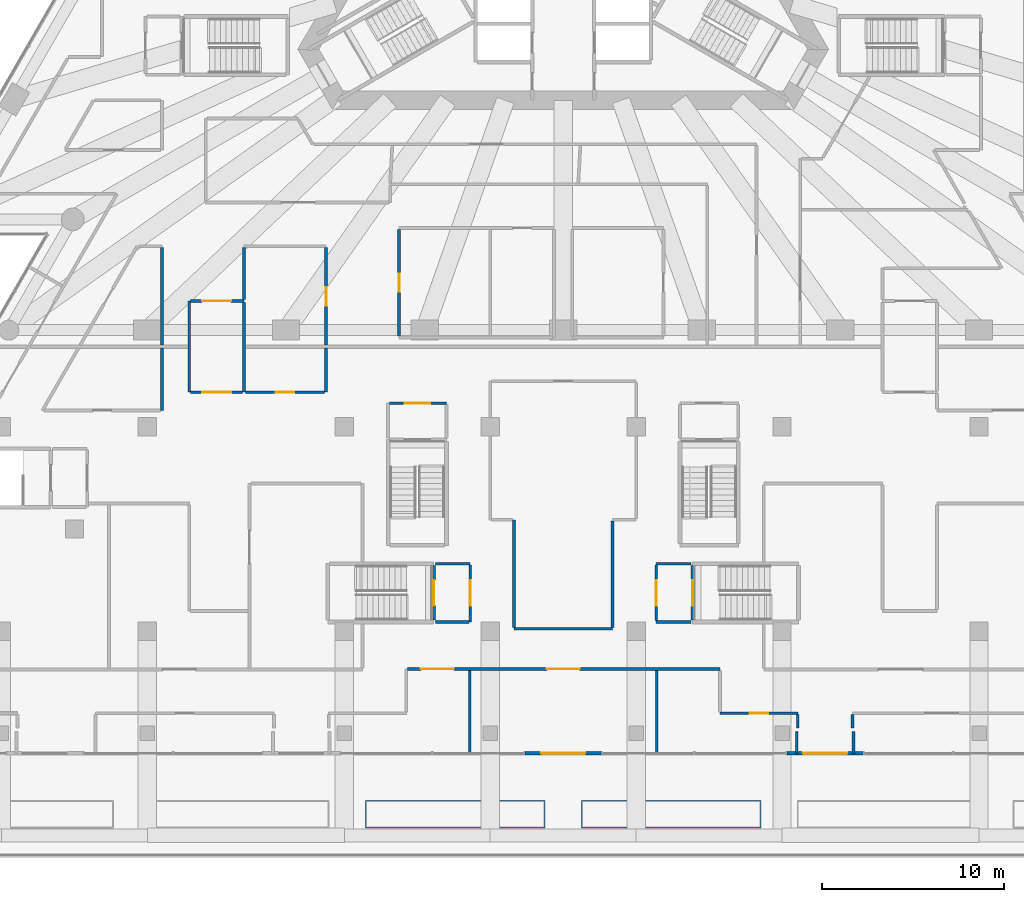
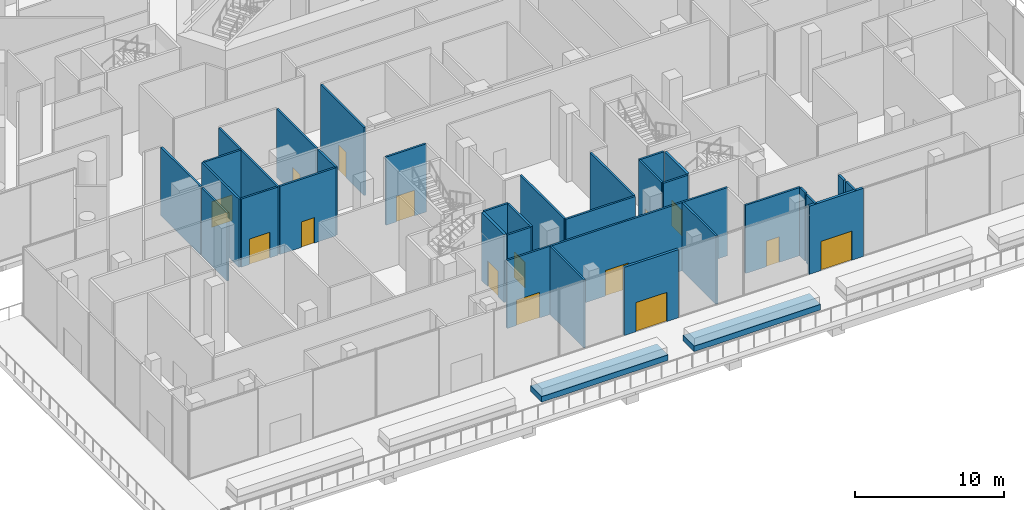
# One storey, part 23 of 36: 35 walls, 15 doors, 15 openings.
"""IFC4 building model written with IfcOpenShell, lengths in metres."""

from ifc_helpers import new_model, si_unit, direction, frame, frame_2d, origin, place, context, subcontext, project, spatial, rectangle, extrude, material, layer, layer_set, layer_usage, type_object, element, fill, save


model = new_model("IFC4")

# Units and contexts
model_context = context("Model", 3, precision=1e-05, world=origin(), true_north=direction((0.0, 1.0)))
body_context = subcontext(model_context, "Body", "Model", "MODEL_VIEW")
ifc_project = project(units=[si_unit("LENGTHUNIT", "METRE"), si_unit("AREAUNIT", "SQUARE_METRE"), si_unit("VOLUMEUNIT", "CUBIC_METRE"), si_unit("PLANEANGLEUNIT", "RADIAN"), si_unit("MASSUNIT", "GRAM", prefix="KILO")], contexts=[model_context])

# Site, building, storey
site_placement = place(None, origin())
site = spatial("IfcSite", under=ifc_project, at=site_placement, CompositionType="ELEMENT")
building_placement = place(site_placement, origin())
building = spatial("IfcBuilding", under=site, at=building_placement, Name="Triada Interchange Tower", CompositionType="ELEMENT")
storey_placement = place(building_placement, frame((0.0, 0.0, 8.5)))
storey = spatial("IfcBuildingStorey", under=building, at=storey_placement, Name="L01", CompositionType="ELEMENT", Elevation=8.5)

# Wall, opening, door
ifc_material_1 = material(Name="Concrete C30/37", Category="concrete")
ifc_layer_1 = layer(ifc_material_1, 0.199951171875)
ifc_layer_set_1 = layer_set([ifc_layer_1], Name="CORE WALL 200 REI 240")
wall_type_1 = type_object("IfcWallType", Name="CORE WALL 200 REI 240", PredefinedType="SOLIDWALL", material=ifc_layer_set_1)
wall_1_placement = place(storey_placement, frame((-7.10009765625, -37.5, 0.0), z_axis=(0.0, 0.0, 1.0), x_axis=(0.0, 1.0, 0.0)))
wall_1 = element("IfcWall", 1, at=wall_1_placement, inside=storey, type_object=wall_type_1, Name="Wall L01 252", PredefinedType="SOLIDWALL", context=body_context, shape_type="SweptSolid", body=[
    extrude(rectangle(XDim=3.0, YDim=0.199951171875, at=frame_2d((1.5, 0.0))), origin(), (0.0, 0.0, 1.0), 5.60009765625),
])
opening_1_placement = place(wall_1_placement, frame((0.800048828125, 0.0, 0.0)))
opening_1 = element("IfcOpeningElement", 2, at=opening_1_placement, cuts=wall_1, Name="Opening D01-15", PredefinedType="OPENING", context=body_context, shape_type="SweptSolid", body=[
    extrude(rectangle(XDim=1.39990234375, YDim=2.10009765625, at=frame_2d((0.699951171875, 1.050048828125))), frame((0.0, 0.10986328125, 0.0), z_axis=(0.0, -1.0, 0.0), x_axis=(1.0, 0.0, 0.0)), (0.0, 0.0, 1.0), 0.219970703125),
])
ifc_material_2 = material(Name="Steel S235 door leaf", Category="steel")
door_type_1 = type_object("IfcDoorType", Name="STAIR DOOR 1400 EI2 90-C5S200", OperationType="DOUBLE_DOOR_SINGLE_SWING", PredefinedType="DOOR", material=ifc_material_2)
door_1_placement = place(opening_1_placement, origin())
door_1 = element("IfcDoor", 3, at=door_1_placement, inside=storey, type_object=door_type_1, Name="Door D01-15 L01", OperationType="DOUBLE_DOOR_SINGLE_SWING", OverallHeight=2.10009765625, OverallWidth=1.39990234375, PredefinedType="DOOR", context=body_context, shape_type="SweptSolid", body=[
    extrude(rectangle(XDim=1.39990234375, YDim=2.10009765625, at=frame_2d((0.699951171875, 1.050048828125))), frame((0.0, 0.02490234375, 0.0), z_axis=(0.0, -1.0, 0.0), x_axis=(1.0, 0.0, 0.0)), (0.0, 0.0, 1.0), 0.050048828125),
])
fill(opening_1, door_1)

wall_2_placement = place(storey_placement, frame((7.10009765625, -37.5, 0.0), z_axis=(0.0, 0.0, 1.0), x_axis=(0.0, 1.0, 0.0)))
wall_2 = element("IfcWall", 4, at=wall_2_placement, inside=storey, type_object=wall_type_1, Name="Wall L01 261", PredefinedType="SOLIDWALL", context=body_context, shape_type="SweptSolid", body=[
    extrude(rectangle(XDim=3.0, YDim=0.199951171875, at=frame_2d((1.5, 0.0))), origin(), (0.0, 0.0, 1.0), 5.60009765625),
])
opening_2_placement = place(wall_2_placement, frame((0.800048828125, 0.0, 0.0)))
opening_2 = element("IfcOpeningElement", 5, at=opening_2_placement, cuts=wall_2, Name="Opening D01-17", PredefinedType="OPENING", context=body_context, shape_type="SweptSolid", body=[
    extrude(rectangle(XDim=1.39990234375, YDim=2.10009765625, at=frame_2d((0.699951171875, 1.050048828125))), frame((0.0, 0.10986328125, 0.0), z_axis=(0.0, -1.0, 0.0), x_axis=(1.0, 0.0, 0.0)), (0.0, 0.0, 1.0), 0.219970703125),
])
door_2_placement = place(opening_2_placement, origin())
door_2 = element("IfcDoor", 6, at=door_2_placement, inside=storey, type_object=door_type_1, Name="Door D01-17 L01", OperationType="DOUBLE_DOOR_SINGLE_SWING", OverallHeight=2.10009765625, OverallWidth=1.39990234375, PredefinedType="DOOR", context=body_context, shape_type="SweptSolid", body=[
    extrude(rectangle(XDim=1.39990234375, YDim=2.10009765625, at=frame_2d((0.699951171875, 1.050048828125))), frame((0.0, 0.02490234375, 0.0), z_axis=(0.0, -1.0, 0.0), x_axis=(1.0, 0.0, 0.0)), (0.0, 0.0, 1.0), 0.050048828125),
])
fill(opening_2, door_2)

ifc_material_3 = material(Name="Cement board")
ifc_layer_2 = layer(ifc_material_3, 0.02001953125, Name="Cement board cladding")
ifc_material_4 = material(Name="Sheathing board")
ifc_layer_3 = layer(ifc_material_4, 0.014892578125, Name="Sheathing board")
ifc_material_5 = material(Name="Mineral wool")
ifc_layer_4 = layer(ifc_material_5, 0.14990234375, Name="Mineral wool between steel studs")
ifc_material_6 = material(Name="Gypsum board")
ifc_layer_5 = layer(ifc_material_6, 0.014892578125, Name="Plasterboard lining")
ifc_layer_set_2 = layer_set([ifc_layer_2, ifc_layer_3, ifc_layer_4, ifc_layer_5], Name="External wall 200")
ifc_layer_usage = layer_usage(ifc_layer_set_2, "AXIS2", "POSITIVE", -0.10009765625)
wall_type_2 = type_object("IfcWallType", Name="External wall 200", PredefinedType="ELEMENTEDWALL", material=ifc_layer_set_2)
wall_3_placement = place(storey_placement, frame((-2.10009765625, -44.800048828125, 0.0), z_axis=(0.0, 0.0, 1.0), x_axis=(1.0, 0.0, 0.0)))
wall_3 = element("IfcWall", 7, at=wall_3_placement, inside=storey, type_object=wall_type_2, material=ifc_layer_usage, Name="External wall L01 00.5", PredefinedType="ELEMENTEDWALL", context=body_context, shape_type="SweptSolid", body=[
    extrude(rectangle(XDim=4.2001953125, YDim=0.199951171875, at=frame_2d((2.10009765625, 0.0))), origin(), (0.0, 0.0, 1.0), 5.60009765625),
])
opening_3_placement = place(wall_3_placement, frame((0.89990234375, 0.0, 0.0)))
opening_3 = element("IfcOpeningElement", 8, at=opening_3_placement, cuts=wall_3, Name="Opening DX31", PredefinedType="OPENING", context=body_context, shape_type="SweptSolid", body=[
    extrude(rectangle(XDim=2.39990234375, YDim=2.39990234375, at=frame_2d((1.199951171875, 1.199951171875))), frame((0.0, 0.10986328125, 0.0), z_axis=(0.0, -1.0, 0.0), x_axis=(1.0, 0.0, 0.0)), (0.0, 0.0, 1.0), 0.219970703125),
])
ifc_material_7 = material(Name="Aluminium and glass", Category="aluminium")
door_type_2 = type_object("IfcDoorType", Name="Terrace door double", OperationType="DOUBLE_DOOR_SINGLE_SWING", PredefinedType="DOOR", material=ifc_material_7)
door_3_placement = place(opening_3_placement, frame((2.39990234375, 0.0, 0.0), z_axis=(0.0, 0.0, 1.0), x_axis=(-1.0, 0.0, 0.0)))
door_3 = element("IfcDoor", 9, at=door_3_placement, inside=storey, type_object=door_type_2, Name="Door DX31 L01", OperationType="DOUBLE_DOOR_SINGLE_SWING", OverallHeight=2.39990234375, OverallWidth=2.39990234375, PredefinedType="DOOR", context=body_context, shape_type="SweptSolid", body=[
    extrude(rectangle(XDim=2.39990234375, YDim=2.39990234375, at=frame_2d((1.199951171875, 1.199951171875))), frame((0.0, 0.02490234375, 0.0), z_axis=(0.0, -1.0, 0.0), x_axis=(1.0, 0.0, 0.0)), (0.0, 0.0, 1.0), 0.050048828125),
])
fill(opening_3, door_3)

wall_4_placement = place(storey_placement, frame((12.260009765625, -44.800048828125, 0.0), z_axis=(0.0, 0.0, 1.0), x_axis=(1.0, 0.0, 0.0)))
wall_4 = element("IfcWall", 10, at=wall_4_placement, inside=storey, type_object=wall_type_2, material=ifc_layer_usage, Name="External wall L01 00.7", PredefinedType="ELEMENTEDWALL", context=body_context, shape_type="SweptSolid", body=[
    extrude(rectangle(XDim=4.199951171875, YDim=0.199951171875, at=frame_2d((2.10009765625, 0.0))), origin(), (0.0, 0.0, 1.0), 5.60009765625),
])
opening_4_placement = place(wall_4_placement, frame((0.89990234375, 0.0, 0.0)))
opening_4 = element("IfcOpeningElement", 11, at=opening_4_placement, cuts=wall_4, Name="Opening DX32", PredefinedType="OPENING", context=body_context, shape_type="SweptSolid", body=[
    extrude(rectangle(XDim=2.39990234375, YDim=2.39990234375, at=frame_2d((1.199951171875, 1.199951171875))), frame((0.0, 0.10986328125, 0.0), z_axis=(0.0, -1.0, 0.0), x_axis=(1.0, 0.0, 0.0)), (0.0, 0.0, 1.0), 0.219970703125),
])
door_4_placement = place(opening_4_placement, frame((2.39990234375, 0.0, 0.0), z_axis=(0.0, 0.0, 1.0), x_axis=(-1.0, 0.0, 0.0)))
door_4 = element("IfcDoor", 12, at=door_4_placement, inside=storey, type_object=door_type_2, Name="Door DX32 L01", OperationType="DOUBLE_DOOR_SINGLE_SWING", OverallHeight=2.39990234375, OverallWidth=2.39990234375, PredefinedType="DOOR", context=body_context, shape_type="SweptSolid", body=[
    extrude(rectangle(XDim=2.39990234375, YDim=2.39990234375, at=frame_2d((1.199951171875, 1.199951171875))), frame((0.0, 0.02490234375, 0.0), z_axis=(0.0, -1.0, 0.0), x_axis=(1.0, 0.0, 0.0)), (0.0, 0.0, 1.0), 0.050048828125),
])
fill(opening_4, door_4)

# Walls
ifc_material_8 = material(Name="Gypsum board partition")
ifc_layer_6 = layer(ifc_material_8, 0.14990234375)
ifc_layer_set_3 = layer_set([ifc_layer_6], Name="PARTITION 150")
wall_type_3 = type_object("IfcWallType", Name="PARTITION 150", PredefinedType="PARTITIONING", material=ifc_layer_set_3)
for number, where, z_axis, x_axis, name in (
    (13, (-5.12890625, -44.800048828125, 0.0), (0.0, 0.0, 1.0), (0.0, 1.0, 0.0), "Wall L01 121"),
    (14, (5.12890625, -44.800048828125, 0.0), (0.0, 0.0, 1.0), (0.0, 1.0, 0.0), "Wall L01 133"),
):
    element("IfcWall", number, at=place(storey_placement, frame(where, z_axis=z_axis, x_axis=x_axis)), inside=storey, type_object=wall_type_3, Name=name, PredefinedType="PARTITIONING", context=body_context, shape_type="SweptSolid", body=[
        extrude(rectangle(XDim=4.551025390625, YDim=0.14990234375, at=frame_2d((2.275390625, 0.0))), origin(), (0.0, 0.0, 1.0), 5.60009765625),
    ])

# Wall, opening, door
ifc_layer_7 = layer(ifc_material_8, 0.14990234375)
ifc_layer_set_4 = layer_set([ifc_layer_7], Name="PARTITION 150 EI 180")
wall_type_4 = type_object("IfcWallType", Name="PARTITION 150 EI 180", PredefinedType="PARTITIONING", material=ifc_layer_set_4)
wall_5_placement = place(storey_placement, frame((-9.52490234375, -25.60009765625, 0.0), z_axis=(0.0, 0.0, 1.0), x_axis=(1.0, 0.0, 0.0)))
wall_5 = element("IfcWall", 15, at=wall_5_placement, inside=storey, type_object=wall_type_4, Name="Wall L01 12", PredefinedType="PARTITIONING", context=body_context, shape_type="SweptSolid", body=[
    extrude(rectangle(XDim=3.125, YDim=0.14990234375, at=frame_2d((1.5625, 0.0))), origin(), (0.0, 0.0, 1.0), 5.60009765625),
])
opening_5_placement = place(wall_5_placement, frame((0.824951171875, 0.0, 0.0)))
opening_5 = element("IfcOpeningElement", 16, at=opening_5_placement, cuts=wall_5, Name="Opening D01-30", PredefinedType="OPENING", context=body_context, shape_type="SweptSolid", body=[
    extrude(rectangle(XDim=1.39990234375, YDim=2.10009765625, at=frame_2d((0.699951171875, 1.050048828125))), frame((0.0, 0.0849609375, 0.0), z_axis=(0.0, -1.0, 0.0), x_axis=(1.0, 0.0, 0.0)), (0.0, 0.0, 1.0), 0.169921875),
])
door_5_placement = place(opening_5_placement, origin())
door_5 = element("IfcDoor", 17, at=door_5_placement, inside=storey, type_object=door_type_1, Name="Door D01-30 L01", OperationType="DOUBLE_DOOR_SINGLE_SWING", OverallHeight=2.10009765625, OverallWidth=1.39990234375, PredefinedType="DOOR", context=body_context, shape_type="SweptSolid", body=[
    extrude(rectangle(XDim=1.39990234375, YDim=2.10009765625, at=frame_2d((0.699951171875, 1.050048828125))), frame((0.0, 0.02490234375, 0.0), z_axis=(0.0, -1.0, 0.0), x_axis=(1.0, 0.0, 0.0)), (0.0, 0.0, 1.0), 0.050048828125),
])
fill(opening_5, door_5)

# Walls
for number, where, z_axis, x_axis, name in (
    (18, (-7.0, -34.39990234375, 0.0), (0.0, 0.0, 1.0), (1.0, 0.0, 0.0), "Wall L01 15"),
    (19, (5.10009765625, -34.39990234375, 0.0), (0.0, 0.0, 1.0), (1.0, 0.0, 0.0), "Wall L01 16"),
):
    element("IfcWall", number, at=place(storey_placement, frame(where, z_axis=z_axis, x_axis=x_axis)), inside=storey, type_object=wall_type_4, Name=name, PredefinedType="PARTITIONING", context=body_context, shape_type="SweptSolid", body=[
        extrude(rectangle(XDim=1.89990234375, YDim=0.14990234375, at=frame_2d((0.949951171875, 0.0))), origin(), (0.0, 0.0, 1.0), 5.60009765625),
    ])

# Wall, opening, door
wall_6_placement = place(storey_placement, frame((-5.10009765625, -37.60009765625, 0.0), z_axis=(0.0, 0.0, 1.0), x_axis=(0.0, 1.0, 0.0)))
wall_6 = element("IfcWall", 20, at=wall_6_placement, inside=storey, type_object=wall_type_4, Name="Wall L01 17", PredefinedType="PARTITIONING", context=body_context, shape_type="SweptSolid", body=[
    extrude(rectangle(XDim=3.125, YDim=0.14990234375, at=frame_2d((1.5625, 0.0))), origin(), (0.0, 0.0, 1.0), 5.60009765625),
])
opening_6_placement = place(wall_6_placement, frame((0.89990234375, 0.0, 0.0)))
opening_6 = element("IfcOpeningElement", 21, at=opening_6_placement, cuts=wall_6, Name="Opening D01-16", PredefinedType="OPENING", context=body_context, shape_type="SweptSolid", body=[
    extrude(rectangle(XDim=1.39990234375, YDim=2.10009765625, at=frame_2d((0.699951171875, 1.050048828125))), frame((0.0, 0.0849609375, 0.0), z_axis=(0.0, -1.0, 0.0), x_axis=(1.0, 0.0, 0.0)), (0.0, 0.0, 1.0), 0.169921875),
])
door_6_placement = place(opening_6_placement, origin())
door_6 = element("IfcDoor", 22, at=door_6_placement, inside=storey, type_object=door_type_1, Name="Door D01-16 L01", OperationType="DOUBLE_DOOR_SINGLE_SWING", OverallHeight=2.10009765625, OverallWidth=1.39990234375, PredefinedType="DOOR", context=body_context, shape_type="SweptSolid", body=[
    extrude(rectangle(XDim=1.39990234375, YDim=2.10009765625, at=frame_2d((0.699951171875, 1.050048828125))), frame((0.0, 0.02490234375, 0.0), z_axis=(0.0, -1.0, 0.0), x_axis=(1.0, 0.0, 0.0)), (0.0, 0.0, 1.0), 0.050048828125),
])
fill(opening_6, door_6)

# Walls
wall_7_placement = place(storey_placement, frame((-7.0, -37.60009765625, 0.0), z_axis=(0.0, 0.0, 1.0), x_axis=(1.0, 0.0, 0.0)))
element("IfcWall", 23, at=wall_7_placement, inside=storey, type_object=wall_type_4, Name="Wall L01 18", PredefinedType="PARTITIONING", context=body_context, shape_type="SweptSolid", body=[
    extrude(rectangle(XDim=1.824951171875, YDim=0.14990234375, at=frame_2d((0.91259765625, 0.0))), origin(), (0.0, 0.0, 1.0), 5.60009765625),
])
wall_8_placement = place(storey_placement, frame((5.10009765625, -37.60009765625, 0.0), z_axis=(0.0, 0.0, 1.0), x_axis=(1.0, 0.0, 0.0)))
element("IfcWall", 24, at=wall_8_placement, inside=storey, type_object=wall_type_4, Name="Wall L01 19", PredefinedType="PARTITIONING", context=body_context, shape_type="SweptSolid", body=[
    extrude(rectangle(XDim=1.89990234375, YDim=0.14990234375, at=frame_2d((0.949951171875, 0.0))), origin(), (0.0, 0.0, 1.0), 5.60009765625),
])

# Wall, opening, door
wall_9_placement = place(storey_placement, frame((5.10009765625, -37.52490234375, 0.0), z_axis=(0.0, 0.0, 1.0), x_axis=(0.0, 1.0, 0.0)))
wall_9 = element("IfcWall", 25, at=wall_9_placement, inside=storey, type_object=wall_type_4, Name="Wall L01 22", PredefinedType="PARTITIONING", context=body_context, shape_type="SweptSolid", body=[
    extrude(rectangle(XDim=3.0498046875, YDim=0.14990234375, at=frame_2d((1.52490234375, 0.0))), origin(), (0.0, 0.0, 1.0), 5.60009765625),
])
opening_7_placement = place(wall_9_placement, frame((0.824951171875, 0.0, 0.0)))
opening_7 = element("IfcOpeningElement", 26, at=opening_7_placement, cuts=wall_9, Name="Opening D01-18", PredefinedType="OPENING", context=body_context, shape_type="SweptSolid", body=[
    extrude(rectangle(XDim=1.39990234375, YDim=2.10009765625, at=frame_2d((0.699951171875, 1.050048828125))), frame((0.0, 0.0849609375, 0.0), z_axis=(0.0, -1.0, 0.0), x_axis=(1.0, 0.0, 0.0)), (0.0, 0.0, 1.0), 0.169921875),
])
door_7_placement = place(opening_7_placement, origin())
door_7 = element("IfcDoor", 27, at=door_7_placement, inside=storey, type_object=door_type_1, Name="Door D01-18 L01", OperationType="DOUBLE_DOOR_SINGLE_SWING", OverallHeight=2.10009765625, OverallWidth=1.39990234375, PredefinedType="DOOR", context=body_context, shape_type="SweptSolid", body=[
    extrude(rectangle(XDim=1.39990234375, YDim=2.10009765625, at=frame_2d((0.699951171875, 1.050048828125))), frame((0.0, 0.02490234375, 0.0), z_axis=(0.0, -1.0, 0.0), x_axis=(1.0, 0.0, 0.0)), (0.0, 0.0, 1.0), 0.050048828125),
])
fill(opening_7, door_7)

# Wall
ifc_layer_8 = layer(ifc_material_8, 0.14990234375)
ifc_layer_set_5 = layer_set([ifc_layer_8], Name="PARTITION 150 EI 90")
wall_type_5 = type_object("IfcWallType", Name="PARTITION 150 EI 90", PredefinedType="PARTITIONING", material=ifc_layer_set_5)
wall_10_placement = place(storey_placement, frame((-20.5, -25.0, 0.0), z_axis=(0.0, 0.0, 1.0), x_axis=(0.0, 1.0, 0.0)))
element("IfcWall", 28, at=wall_10_placement, inside=storey, type_object=wall_type_5, Name="Wall L01 28", PredefinedType="PARTITIONING", context=body_context, shape_type="SweptSolid", body=[
    extrude(rectangle(XDim=5.0, YDim=0.14990234375, at=frame_2d((2.5, 0.0))), origin(), (0.0, 0.0, 1.0), 5.60009765625),
])

# Wall, opening, door
wall_11_placement = place(storey_placement, frame((-20.425048828125, -20.0, 0.0), z_axis=(0.0, 0.0, 1.0), x_axis=(1.0, 0.0, 0.0)))
wall_11 = element("IfcWall", 29, at=wall_11_placement, inside=storey, type_object=wall_type_5, Name="Wall L01 29", PredefinedType="PARTITIONING", context=body_context, shape_type="SweptSolid", body=[
    extrude(rectangle(XDim=2.925048828125, YDim=0.14990234375, at=frame_2d((1.46240234375, 0.0))), origin(), (0.0, 0.0, 1.0), 5.60009765625),
])
opening_8_placement = place(wall_11_placement, frame((0.625, 0.0, 0.0)))
opening_8 = element("IfcOpeningElement", 30, at=opening_8_placement, cuts=wall_11, Name="Opening D01-12", PredefinedType="OPENING", context=body_context, shape_type="SweptSolid", body=[
    extrude(rectangle(XDim=1.60009765625, YDim=2.10009765625, at=frame_2d((0.800048828125, 1.050048828125))), frame((0.0, 0.0849609375, 0.0), z_axis=(0.0, -1.0, 0.0), x_axis=(1.0, 0.0, 0.0)), (0.0, 0.0, 1.0), 0.169921875),
])
door_type_3 = type_object("IfcDoorType", Name="STAIR DOOR 1600 EI2 90-C5S200", OperationType="DOUBLE_DOOR_SINGLE_SWING", PredefinedType="DOOR", material=ifc_material_2)
door_8_placement = place(opening_8_placement, origin())
door_8 = element("IfcDoor", 31, at=door_8_placement, inside=storey, type_object=door_type_3, Name="Door D01-12 L01", OperationType="DOUBLE_DOOR_SINGLE_SWING", OverallHeight=2.10009765625, OverallWidth=1.60009765625, PredefinedType="DOOR", context=body_context, shape_type="SweptSolid", body=[
    extrude(rectangle(XDim=1.60009765625, YDim=2.10009765625, at=frame_2d((0.800048828125, 1.050048828125))), frame((0.0, 0.02490234375, 0.0), z_axis=(0.0, -1.0, 0.0), x_axis=(1.0, 0.0, 0.0)), (0.0, 0.0, 1.0), 0.050048828125),
])
fill(opening_8, door_8)

# Wall
wall_12_placement = place(storey_placement, frame((-17.5, -25.0, 0.0), z_axis=(0.0, 0.0, 1.0), x_axis=(0.0, 1.0, 0.0)))
element("IfcWall", 32, at=wall_12_placement, inside=storey, type_object=wall_type_5, Name="Wall L01 31", PredefinedType="PARTITIONING", context=body_context, shape_type="SweptSolid", body=[
    extrude(rectangle(XDim=4.925048828125, YDim=0.14990234375, at=frame_2d((2.46240234375, 0.0))), origin(), (0.0, 0.0, 1.0), 5.60009765625),
])

# Wall, opening, door
wall_13_placement = place(storey_placement, frame((-20.425048828125, -25.0, 0.0), z_axis=(0.0, 0.0, 1.0), x_axis=(1.0, 0.0, 0.0)))
wall_13 = element("IfcWall", 33, at=wall_13_placement, inside=storey, type_object=wall_type_5, Name="Wall L01 32", PredefinedType="PARTITIONING", context=body_context, shape_type="SweptSolid", body=[
    extrude(rectangle(XDim=2.85009765625, YDim=0.14990234375, at=frame_2d((1.425048828125, 0.0))), origin(), (0.0, 0.0, 1.0), 5.60009765625),
])
opening_9_placement = place(wall_13_placement, frame((0.625, 0.0, 0.0)))
opening_9 = element("IfcOpeningElement", 34, at=opening_9_placement, cuts=wall_13, Name="Opening D01-11", PredefinedType="OPENING", context=body_context, shape_type="SweptSolid", body=[
    extrude(rectangle(XDim=1.60009765625, YDim=2.10009765625, at=frame_2d((0.800048828125, 1.050048828125))), frame((0.0, 0.0849609375, 0.0), z_axis=(0.0, -1.0, 0.0), x_axis=(1.0, 0.0, 0.0)), (0.0, 0.0, 1.0), 0.169921875),
])
door_9_placement = place(opening_9_placement, origin())
door_9 = element("IfcDoor", 35, at=door_9_placement, inside=storey, type_object=door_type_3, Name="Door D01-11 L01", OperationType="DOUBLE_DOOR_SINGLE_SWING", OverallHeight=2.10009765625, OverallWidth=1.60009765625, PredefinedType="DOOR", context=body_context, shape_type="SweptSolid", body=[
    extrude(rectangle(XDim=1.60009765625, YDim=2.10009765625, at=frame_2d((0.800048828125, 1.050048828125))), frame((0.0, 0.02490234375, 0.0), z_axis=(0.0, -1.0, 0.0), x_axis=(1.0, 0.0, 0.0)), (0.0, 0.0, 1.0), 0.050048828125),
])
fill(opening_9, door_9)

wall_14_placement = place(storey_placement, frame((8.60009765625, -42.60009765625, 0.0), z_axis=(0.0, 0.0, 1.0), x_axis=(1.0, 0.0, 0.0)))
wall_14 = element("IfcWall", 36, at=wall_14_placement, inside=storey, type_object=wall_type_5, Name="Wall L01 42", PredefinedType="PARTITIONING", context=body_context, shape_type="SweptSolid", body=[
    extrude(rectangle(XDim=4.260009765625, YDim=0.14990234375, at=frame_2d((2.1298828125, 0.0))), origin(), (0.0, 0.0, 1.0), 5.60009765625),
])
opening_10_placement = place(wall_14_placement, frame((1.6298828125, 0.0, 0.0)))
opening_10 = element("IfcOpeningElement", 37, at=opening_10_placement, cuts=wall_14, Name="Opening D01-53", PredefinedType="OPENING", context=body_context, shape_type="SweptSolid", body=[
    extrude(rectangle(XDim=1.0, YDim=2.10009765625, at=frame_2d((0.5, 1.050048828125))), frame((0.0, 0.0849609375, 0.0), z_axis=(0.0, -1.0, 0.0), x_axis=(1.0, 0.0, 0.0)), (0.0, 0.0, 1.0), 0.169921875),
])
door_type_4 = type_object("IfcDoorType", Name="ROOM DOOR 1000 EI2 45-C5S200", OperationType="NOTDEFINED", PredefinedType="DOOR", material=ifc_material_2)
door_10_placement = place(opening_10_placement, origin())
door_10 = element("IfcDoor", 38, at=door_10_placement, inside=storey, type_object=door_type_4, Name="Door D01-53 L01", OperationType="SINGLE_SWING_RIGHT", OverallHeight=2.10009765625, OverallWidth=1.0, PredefinedType="DOOR", context=body_context, shape_type="SweptSolid", body=[
    extrude(rectangle(XDim=1.0, YDim=2.10009765625, at=frame_2d((0.5, 1.050048828125))), frame((0.0, 0.02490234375, 0.0), z_axis=(0.0, -1.0, 0.0), x_axis=(1.0, 0.0, 0.0)), (0.0, 0.0, 1.0), 0.050048828125),
])
fill(opening_10, door_10)

# Walls
wall_15_placement = place(storey_placement, frame((-22.0, -26.0, 0.0), z_axis=(0.0, 0.0, 1.0), x_axis=(0.0, 1.0, 0.0)))
element("IfcWall", 39, at=wall_15_placement, inside=storey, type_object=wall_type_5, Name="Wall L01 70", PredefinedType="PARTITIONING", context=body_context, shape_type="SweptSolid", body=[
    extrude(rectangle(XDim=3.425048828125, YDim=0.14990234375, at=frame_2d((1.71240234375, 0.0))), origin(), (0.0, 0.0, 1.0), 5.60009765625),
])
wall_16_placement = place(storey_placement, frame((-22.0, -22.425048828125, 0.0), z_axis=(0.0, 0.0, 1.0), x_axis=(0.0, 1.0, 0.0)))
element("IfcWall", 40, at=wall_16_placement, inside=storey, type_object=wall_type_5, Name="Wall L01 71", PredefinedType="PARTITIONING", context=body_context, shape_type="SweptSolid", body=[
    extrude(rectangle(XDim=5.35009765625, YDim=0.14990234375, at=frame_2d((2.675048828125, 0.0))), origin(), (0.0, 0.0, 1.0), 5.60009765625),
])
wall_17_placement = place(storey_placement, frame((-13.0, -25.0, 0.0), z_axis=(0.0, 0.0, 1.0), x_axis=(0.0, 1.0, 0.0)))
element("IfcWall", 41, at=wall_17_placement, inside=storey, type_object=wall_type_5, Name="Wall L01 95", PredefinedType="PARTITIONING", context=body_context, shape_type="SweptSolid", body=[
    extrude(rectangle(XDim=2.425048828125, YDim=0.14990234375, at=frame_2d((1.21240234375, 0.0))), origin(), (0.0, 0.0, 1.0), 5.60009765625),
])

# Wall, opening, door
wall_18_placement = place(storey_placement, frame((-13.0, -22.425048828125, 0.0), z_axis=(0.0, 0.0, 1.0), x_axis=(0.0, 1.0, 0.0)))
wall_18 = element("IfcWall", 42, at=wall_18_placement, inside=storey, type_object=wall_type_5, Name="Wall L01 96", PredefinedType="PARTITIONING", context=body_context, shape_type="SweptSolid", body=[
    extrude(rectangle(XDim=5.35009765625, YDim=0.14990234375, at=frame_2d((2.675048828125, 0.0))), origin(), (0.0, 0.0, 1.0), 5.60009765625),
])
opening_11_placement = place(wall_18_placement, frame((2.175048828125, 0.0, 0.0)))
opening_11 = element("IfcOpeningElement", 43, at=opening_11_placement, cuts=wall_18, Name="Opening D01-38", PredefinedType="OPENING", context=body_context, shape_type="SweptSolid", body=[
    extrude(rectangle(XDim=1.0, YDim=2.10009765625, at=frame_2d((0.5, 1.050048828125))), frame((0.0, 0.0849609375, 0.0), z_axis=(0.0, -1.0, 0.0), x_axis=(1.0, 0.0, 0.0)), (0.0, 0.0, 1.0), 0.169921875),
])
door_type_5 = type_object("IfcDoorType", Name="ROOM DOOR 1000 EI2 90-C5S200", OperationType="NOTDEFINED", PredefinedType="DOOR", material=ifc_material_2)
door_11_placement = place(opening_11_placement, origin())
door_11 = element("IfcDoor", 44, at=door_11_placement, inside=storey, type_object=door_type_5, Name="Door D01-38 L01", OperationType="SINGLE_SWING_RIGHT", OverallHeight=2.10009765625, OverallWidth=1.0, PredefinedType="DOOR", context=body_context, shape_type="SweptSolid", body=[
    extrude(rectangle(XDim=1.0, YDim=2.10009765625, at=frame_2d((0.5, 1.050048828125))), frame((0.0, 0.02490234375, 0.0), z_axis=(0.0, -1.0, 0.0), x_axis=(1.0, 0.0, 0.0)), (0.0, 0.0, 1.0), 0.050048828125),
])
fill(opening_11, door_11)

wall_19_placement = place(storey_placement, frame((-17.425048828125, -25.0, 0.0), z_axis=(0.0, 0.0, 1.0), x_axis=(1.0, 0.0, 0.0)))
wall_19 = element("IfcWall", 45, at=wall_19_placement, inside=storey, type_object=wall_type_5, Name="Wall L01 98", PredefinedType="PARTITIONING", context=body_context, shape_type="SweptSolid", body=[
    extrude(rectangle(XDim=4.35009765625, YDim=0.14990234375, at=frame_2d((2.175048828125, 0.0))), origin(), (0.0, 0.0, 1.0), 5.60009765625),
])
opening_12_placement = place(wall_19_placement, frame((1.675048828125, 0.0, 0.0)))
opening_12 = element("IfcOpeningElement", 46, at=opening_12_placement, cuts=wall_19, Name="Opening D01-39", PredefinedType="OPENING", context=body_context, shape_type="SweptSolid", body=[
    extrude(rectangle(XDim=1.0, YDim=2.10009765625, at=frame_2d((0.5, 1.050048828125))), frame((0.0, 0.0849609375, 0.0), z_axis=(0.0, -1.0, 0.0), x_axis=(1.0, 0.0, 0.0)), (0.0, 0.0, 1.0), 0.169921875),
])
door_12_placement = place(opening_12_placement, origin())
door_12 = element("IfcDoor", 47, at=door_12_placement, inside=storey, type_object=door_type_5, Name="Door D01-39 L01", OperationType="SINGLE_SWING_RIGHT", OverallHeight=2.10009765625, OverallWidth=1.0, PredefinedType="DOOR", context=body_context, shape_type="SweptSolid", body=[
    extrude(rectangle(XDim=1.0, YDim=2.10009765625, at=frame_2d((0.5, 1.050048828125))), frame((0.0, 0.02490234375, 0.0), z_axis=(0.0, -1.0, 0.0), x_axis=(1.0, 0.0, 0.0)), (0.0, 0.0, 1.0), 0.050048828125),
])
fill(opening_12, door_12)

# Wall
wall_20_placement = place(storey_placement, frame((-17.5, -19.927001953125, 0.0), z_axis=(0.0, 0.0, 1.0), x_axis=(0.0, 1.0, 0.0)))
element("IfcWall", 48, at=wall_20_placement, inside=storey, type_object=wall_type_5, Name="Wall L01 99", PredefinedType="PARTITIONING", context=body_context, shape_type="SweptSolid", body=[
    extrude(rectangle(XDim=2.85205078125, YDim=0.14990234375, at=frame_2d((1.426025390625, 0.0))), origin(), (0.0, 0.0, 1.0), 5.60009765625),
])

# Wall, openings, doors
wall_21_placement = place(storey_placement, frame((-8.52490234375, -40.174072265625, 0.0), z_axis=(0.0, 0.0, 1.0), x_axis=(1.0, 0.0, 0.0)))
wall_21 = element("IfcWall", 49, at=wall_21_placement, inside=storey, type_object=wall_type_5, Name="Wall L01 108", PredefinedType="PARTITIONING", context=body_context, shape_type="SweptSolid", body=[
    extrude(rectangle(XDim=17.125, YDim=0.14990234375, at=frame_2d((8.5625, 0.0))), origin(), (0.0, 0.0, 1.0), 5.60009765625),
])
opening_13_placement = place(wall_21_placement, frame((0.72509765625, 0.0, 0.0)))
opening_13 = element("IfcOpeningElement", 50, at=opening_13_placement, cuts=wall_21, Name="Opening D01-51", PredefinedType="OPENING", context=body_context, shape_type="SweptSolid", body=[
    extrude(rectangle(XDim=1.800048828125, YDim=2.10009765625, at=frame_2d((0.89990234375, 1.050048828125))), frame((0.0, 0.0849609375, 0.0), z_axis=(0.0, -1.0, 0.0), x_axis=(1.0, 0.0, 0.0)), (0.0, 0.0, 1.0), 0.169921875),
])
opening_14_placement = place(wall_21_placement, frame((7.625, 0.0, 0.0)))
opening_14 = element("IfcOpeningElement", 51, at=opening_14_placement, cuts=wall_21, Name="Opening D01-52", PredefinedType="OPENING", context=body_context, shape_type="SweptSolid", body=[
    extrude(rectangle(XDim=1.800048828125, YDim=2.10009765625, at=frame_2d((0.89990234375, 1.050048828125))), frame((0.0, 0.0849609375, 0.0), z_axis=(0.0, -1.0, 0.0), x_axis=(1.0, 0.0, 0.0)), (0.0, 0.0, 1.0), 0.169921875),
])
door_type_6 = type_object("IfcDoorType", Name="SHOP AND HALL ENTRANCE DOOR 1800 EI2 90-C5S200", OperationType="DOUBLE_DOOR_SINGLE_SWING", PredefinedType="DOOR", material=ifc_material_2)
door_13_placement = place(opening_13_placement, origin())
door_13 = element("IfcDoor", 52, at=door_13_placement, inside=storey, type_object=door_type_6, Name="Door D01-51 L01", OperationType="DOUBLE_DOOR_SINGLE_SWING", OverallHeight=2.10009765625, OverallWidth=1.800048828125, PredefinedType="DOOR", context=body_context, shape_type="SweptSolid", body=[
    extrude(rectangle(XDim=1.800048828125, YDim=2.10009765625, at=frame_2d((0.89990234375, 1.050048828125))), frame((0.0, 0.02490234375, 0.0), z_axis=(0.0, -1.0, 0.0), x_axis=(1.0, 0.0, 0.0)), (0.0, 0.0, 1.0), 0.050048828125),
])
fill(opening_13, door_13)
door_14_placement = place(opening_14_placement, origin())
door_14 = element("IfcDoor", 53, at=door_14_placement, inside=storey, type_object=door_type_6, Name="Door D01-52 L01", OperationType="DOUBLE_DOOR_SINGLE_SWING", OverallHeight=2.10009765625, OverallWidth=1.800048828125, PredefinedType="DOOR", context=body_context, shape_type="SweptSolid", body=[
    extrude(rectangle(XDim=1.800048828125, YDim=2.10009765625, at=frame_2d((0.89990234375, 1.050048828125))), frame((0.0, 0.02490234375, 0.0), z_axis=(0.0, -1.0, 0.0), x_axis=(1.0, 0.0, 0.0)), (0.0, 0.0, 1.0), 0.050048828125),
])
fill(opening_14, door_14)

# Wall, opening, door
wall_22_placement = place(storey_placement, frame((-9.0, -21.925048828125, 0.0), z_axis=(0.0, 0.0, 1.0), x_axis=(0.0, 1.0, 0.0)))
wall_22 = element("IfcWall", 54, at=wall_22_placement, inside=storey, type_object=wall_type_5, Name="Wall L01 129", PredefinedType="PARTITIONING", context=body_context, shape_type="SweptSolid", body=[
    extrude(rectangle(XDim=5.85009765625, YDim=0.14990234375, at=frame_2d((2.925048828125, 0.0))), origin(), (0.0, 0.0, 1.0), 5.60009765625),
])
opening_15_placement = place(wall_22_placement, frame((2.425048828125, 0.0, 0.0)))
opening_15 = element("IfcOpeningElement", 55, at=opening_15_placement, cuts=wall_22, Name="Opening D01-44", PredefinedType="OPENING", context=body_context, shape_type="SweptSolid", body=[
    extrude(rectangle(XDim=1.0, YDim=2.10009765625, at=frame_2d((0.5, 1.050048828125))), frame((0.0, 0.0849609375, 0.0), z_axis=(0.0, -1.0, 0.0), x_axis=(1.0, 0.0, 0.0)), (0.0, 0.0, 1.0), 0.169921875),
])
door_15_placement = place(opening_15_placement, origin())
door_15 = element("IfcDoor", 56, at=door_15_placement, inside=storey, type_object=door_type_4, Name="Door D01-44 L01", OperationType="SINGLE_SWING_LEFT", OverallHeight=2.10009765625, OverallWidth=1.0, PredefinedType="DOOR", context=body_context, shape_type="SweptSolid", body=[
    extrude(rectangle(XDim=1.0, YDim=2.10009765625, at=frame_2d((0.5, 1.050048828125))), frame((0.0, 0.02490234375, 0.0), z_axis=(0.0, -1.0, 0.0), x_axis=(1.0, 0.0, 0.0)), (0.0, 0.0, 1.0), 0.050048828125),
])
fill(opening_15, door_15)

# Walls
wall_23_placement = place(storey_placement, frame((12.860107421875, -43.4208984375, 0.0), z_axis=(0.0, 0.0, 1.0), x_axis=(0.0, 1.0, 0.0)))
element("IfcWall", 57, at=wall_23_placement, inside=storey, type_object=wall_type_5, Name="Wall L01 135", PredefinedType="PARTITIONING", context=body_context, shape_type="SweptSolid", body=[
    extrude(rectangle(XDim=0.745849609375, YDim=0.14990234375, at=frame_2d((0.373046875, 0.0))), origin(), (0.0, 0.0, 1.0), 5.60009765625),
])
for number, where, z_axis, x_axis, name in (
    (58, (12.81005859375, -44.800048828125, 0.0), (0.0, 0.0, 1.0), (0.0, 1.0, 0.0), "Wall L01 136"),
    (59, (15.909912109375, -44.800048828125, 0.0), (0.0, 0.0, 1.0), (0.0, 1.0, 0.0), "Wall L01 148"),
):
    element("IfcWall", number, at=place(storey_placement, frame(where, z_axis=z_axis, x_axis=x_axis)), inside=storey, type_object=wall_type_5, Name=name, PredefinedType="PARTITIONING", context=body_context, shape_type="SweptSolid", body=[
        extrude(rectangle(XDim=1.199951171875, YDim=0.14990234375, at=frame_2d((0.60009765625, 0.0))), origin(), (0.0, 0.0, 1.0), 5.60009765625),
    ])
wall_24_placement = place(storey_placement, frame((15.860107421875, -43.4208984375, 0.0), z_axis=(0.0, 0.0, 1.0), x_axis=(0.0, 1.0, 0.0)))
element("IfcWall", 60, at=wall_24_placement, inside=storey, type_object=wall_type_5, Name="Wall L01 149", PredefinedType="PARTITIONING", context=body_context, shape_type="SweptSolid", body=[
    extrude(rectangle(XDim=0.745849609375, YDim=0.14990234375, at=frame_2d((0.373046875, 0.0))), origin(), (0.0, 0.0, 1.0), 5.60009765625),
])
wall_25_placement = place(storey_placement, frame((-2.699951171875, -37.97412109375, 0.0), z_axis=(0.0, 0.0, 1.0), x_axis=(1.0, 0.0, 0.0)))
element("IfcWall", 61, at=wall_25_placement, inside=storey, type_object=wall_type_5, Name="Wall L01 175", PredefinedType="PARTITIONING", context=body_context, shape_type="SweptSolid", body=[
    extrude(rectangle(XDim=5.39990234375, YDim=0.14990234375, at=frame_2d((2.699951171875, 0.0))), origin(), (0.0, 0.0, 1.0), 5.60009765625),
])
wall_26_placement = place(storey_placement, frame((-2.699951171875, -37.89892578125, 0.0), z_axis=(0.0, 0.0, 1.0), x_axis=(0.0, 1.0, 0.0)))
element("IfcWall", 62, at=wall_26_placement, inside=storey, type_object=wall_type_5, Name="Wall L01 176", PredefinedType="PARTITIONING", context=body_context, shape_type="SweptSolid", body=[
    extrude(rectangle(XDim=5.89892578125, YDim=0.14990234375, at=frame_2d((2.949462890625, 0.0))), origin(), (0.0, 0.0, 1.0), 5.60009765625),
])
wall_27_placement = place(storey_placement, frame((2.699951171875, -37.89892578125, 0.0), z_axis=(0.0, 0.0, 1.0), x_axis=(0.0, 1.0, 0.0)))
element("IfcWall", 63, at=wall_27_placement, inside=storey, type_object=wall_type_5, Name="Wall L01 181", PredefinedType="PARTITIONING", context=body_context, shape_type="SweptSolid", body=[
    extrude(rectangle(XDim=5.823974609375, YDim=0.14990234375, at=frame_2d((2.912109375, 0.0))), origin(), (0.0, 0.0, 1.0), 5.60009765625),
])
ifc_layer_9 = layer(ifc_material_1, 1.5)
ifc_layer_set_6 = layer_set([ifc_layer_9], Name="Planter bed 450")
wall_type_6 = type_object("IfcWallType", Name="Planter bed 450", PredefinedType="STANDARD", material=ifc_layer_set_6)
for number, where, z_axis, x_axis, name in (
    (64, (-10.8330078125, -48.1298828125, 0.0), (0.0, 0.0, 1.0), (1.0, 0.0, 0.0), "PLANTER L01 03"),
    (65, (1.0, -48.1298828125, 0.0), (0.0, 0.0, 1.0), (1.0, 0.0, 0.0), "PLANTER L01 04"),
):
    element("IfcWall", number, at=place(storey_placement, frame(where, z_axis=z_axis, x_axis=x_axis)), inside=storey, type_object=wall_type_6, Name=name, PredefinedType="STANDARD", context=body_context, shape_type="SweptSolid", body=[
        extrude(rectangle(XDim=9.8330078125, YDim=1.5, at=frame_2d((4.91650390625, 0.0))), origin(), (0.0, 0.0, 1.0), 0.449951171875),
    ])

save(model, "model.ifc")
